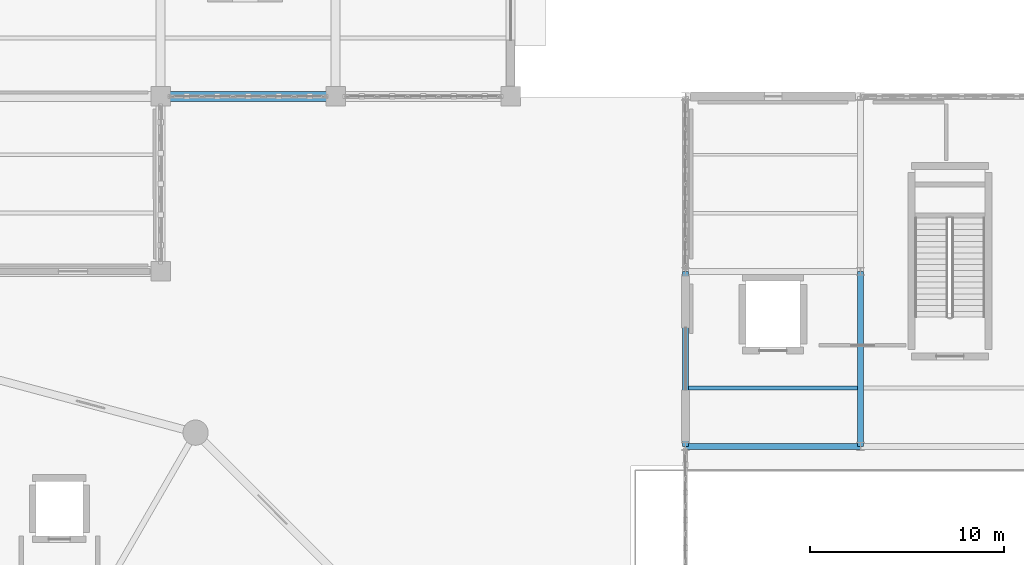
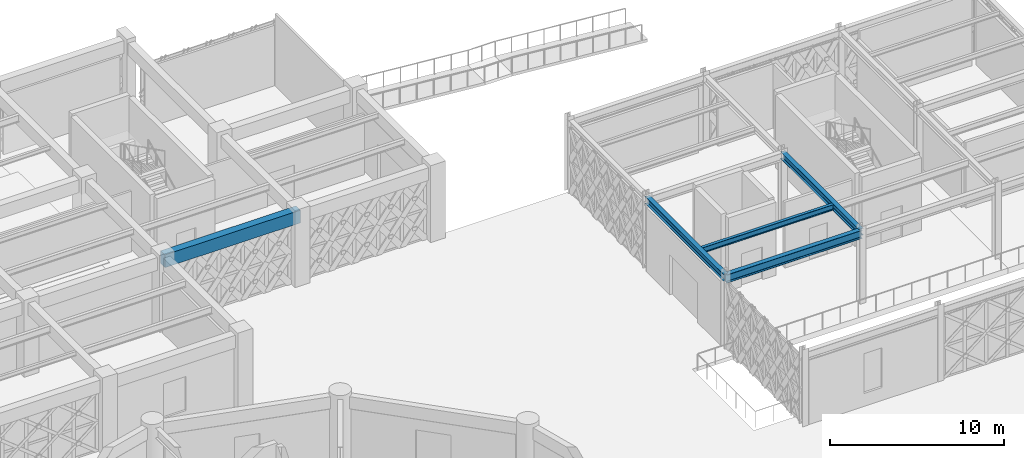
# One storey, part 62 of 140: 5 beams.
"""IFC4 building model written with IfcOpenShell, lengths in metres."""

from ifc_helpers import new_model, si_unit, direction, frame, origin, origin_2d, place, context, subcontext, project, spatial, rectangle, i_section, extrude, material, material_profile, profile_set, type_object, element, save


model = new_model("IFC4")

# Units and contexts
model_context = context("Model", 3, precision=1e-05, world=origin(), true_north=direction((0.0, 1.0)))
body_context = subcontext(model_context, "Body", "Model", "MODEL_VIEW")
ifc_project = project(units=[si_unit("LENGTHUNIT", "METRE"), si_unit("AREAUNIT", "SQUARE_METRE"), si_unit("VOLUMEUNIT", "CUBIC_METRE"), si_unit("PLANEANGLEUNIT", "RADIAN"), si_unit("MASSUNIT", "GRAM", prefix="KILO")], contexts=[model_context])

# Site, building, storey
site_placement = place(None, origin())
site = spatial("IfcSite", under=ifc_project, at=site_placement, CompositionType="ELEMENT")
building_placement = place(site_placement, origin())
building = spatial("IfcBuilding", under=site, at=building_placement, Name="Haizhuo Lancet Aquarium", CompositionType="ELEMENT")
storey_placement = place(building_placement, origin())
storey = spatial("IfcBuildingStorey", under=building, at=storey_placement, Name="L00", CompositionType="ELEMENT", Elevation=0.0)

# Beams
ifc_material_1 = material(Name="Concrete C40/50", Category="concrete")
ifc_material_profile_1 = material_profile(ifc_material_1, rectangle(XDim=0.5, YDim=0.89990234375, at=origin_2d()), Name="RC-BM 500x900")
ifc_profile_set_1 = profile_set([ifc_material_profile_1], Name="Concrete C40/50")
beam_type_1 = type_object("IfcBeamType", Name="BM-RC-500x900", PredefinedType="BEAM", material=ifc_profile_set_1)
beam_1_placement = place(storey_placement, frame((9.0, 36.0, 4.669921875), z_axis=(1.0, 0.0, 0.0), x_axis=(0.0, 1.0, 0.0)))
element("IfcBeam", 1, at=beam_1_placement, inside=storey, type_object=beam_type_1, Name="L00 V5 primary girder BM-L00-V5-025", PredefinedType="BEAM", context=body_context, shape_type="SweptSolid", body=[
    extrude(rectangle(XDim=0.5, YDim=0.89990234375, at=origin_2d()), origin(), (0.0, 0.0, 1.0), 9.0),
])
ifc_material_2 = material(Name="Steel S355", Category="steel")
ifc_material_profile_2 = material_profile(ifc_material_2, i_section(OverallWidth=0.300048828125, OverallDepth=0.488037109375, WebThickness=0.010986328125, FlangeThickness=0.01806640625, FilletRadius=0.02392578125, at=origin_2d()), Name="HM 488x300x11x18")
ifc_profile_set_2 = profile_set([ifc_material_profile_2], Name="Steel S355")
beam_type_2 = type_object("IfcBeamType", Name="BM-ST-HM488", PredefinedType="BEAM", material=ifc_profile_set_2)
for number, where, z_axis, x_axis, name in (
    (2, (36.0, 18.0, 4.8759765625), (0.0, 1.0, 0.0), (-1.0, 0.0, 0.0), "L00 V7 primary girder BM-L00-V7-002"),
    (3, (45.0, 18.0, 4.8759765625), (0.0, 1.0, 0.0), (-1.0, 0.0, 0.0), "L00 V7 primary girder BM-L00-V7-008"),
):
    element("IfcBeam", number, at=place(storey_placement, frame(where, z_axis=z_axis, x_axis=x_axis)), inside=storey, type_object=beam_type_2, Name=name, PredefinedType="BEAM", context=body_context, shape_type="SweptSolid", body=[
        extrude(i_section(OverallWidth=0.300048828125, OverallDepth=0.488037109375, WebThickness=0.010986328125, FlangeThickness=0.01806640625, FilletRadius=0.02392578125, at=origin_2d()), origin(), (0.0, 0.0, 1.0), 9.0),
    ])
ifc_material_profile_3 = material_profile(ifc_material_2, i_section(OverallWidth=0.300048828125, OverallDepth=0.587890625, WebThickness=0.011962890625, FlangeThickness=0.02001953125, FilletRadius=0.02587890625, at=origin_2d()), Name="HM 588x300x12x20")
ifc_profile_set_3 = profile_set([ifc_material_profile_3], Name="Steel S355")
beam_type_3 = type_object("IfcBeamType", Name="BM-ST-HM588", PredefinedType="BEAM", material=ifc_profile_set_3)
beam_2_placement = place(storey_placement, frame((36.0, 18.0, 4.825927734375), z_axis=(1.0, 0.0, 0.0), x_axis=(0.0, 1.0, 0.0)))
element("IfcBeam", 4, at=beam_2_placement, inside=storey, type_object=beam_type_3, Name="L00 V7 primary girder BM-L00-V7-003", PredefinedType="BEAM", context=body_context, shape_type="SweptSolid", body=[
    extrude(i_section(OverallWidth=0.300048828125, OverallDepth=0.587890625, WebThickness=0.011962890625, FlangeThickness=0.02001953125, FilletRadius=0.02587890625, at=origin_2d()), origin(), (0.0, 0.0, 1.0), 9.0),
])
ifc_material_profile_4 = material_profile(ifc_material_2, i_section(OverallWidth=0.199951171875, OverallDepth=0.39990234375, WebThickness=0.008056640625, FlangeThickness=0.012939453125, FilletRadius=0.01611328125, at=origin_2d()), Name="HN 400x200x8x13")
ifc_profile_set_4 = profile_set([ifc_material_profile_4], Name="Steel S355")
beam_type_4 = type_object("IfcBeamType", Name="JST-ST-HN400", PredefinedType="JOIST", material=ifc_profile_set_4)
beam_3_placement = place(storey_placement, frame((36.14990234375, 21.0, 4.919921875), z_axis=(1.0, 0.0, 0.0), x_axis=(0.0, 1.0, 0.0)))
element("IfcBeam", 5, at=beam_3_placement, inside=storey, type_object=beam_type_4, Name="L00 V7 secondary floor joist 1", PredefinedType="JOIST", context=body_context, shape_type="SweptSolid", body=[
    extrude(i_section(OverallWidth=0.199951171875, OverallDepth=0.39990234375, WebThickness=0.008056640625, FlangeThickness=0.012939453125, FilletRadius=0.01611328125, at=origin_2d()), origin(), (0.0, 0.0, 1.0), 8.7001953125),
])

save(model, "model.ifc")
